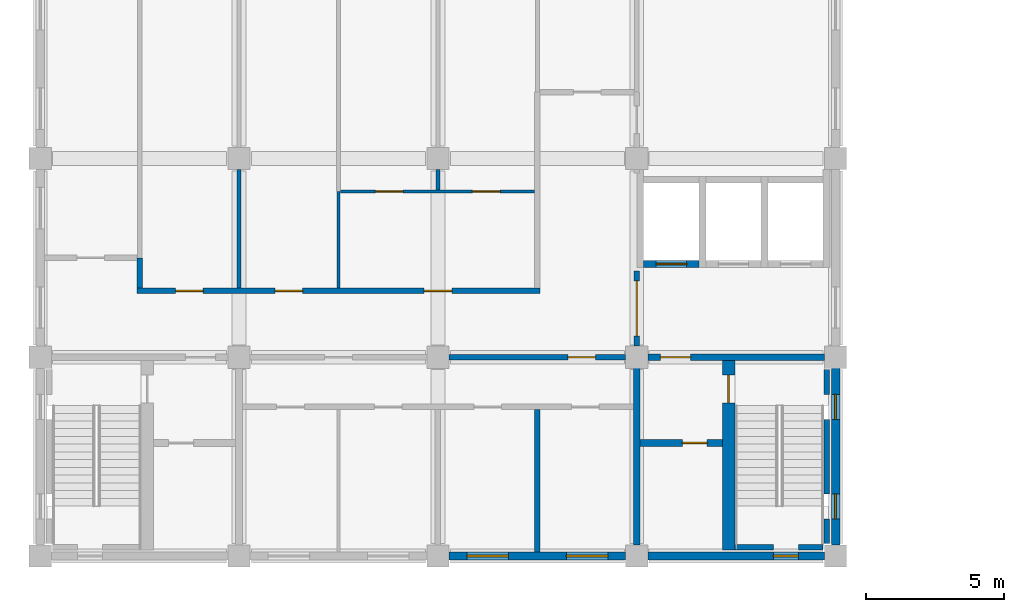
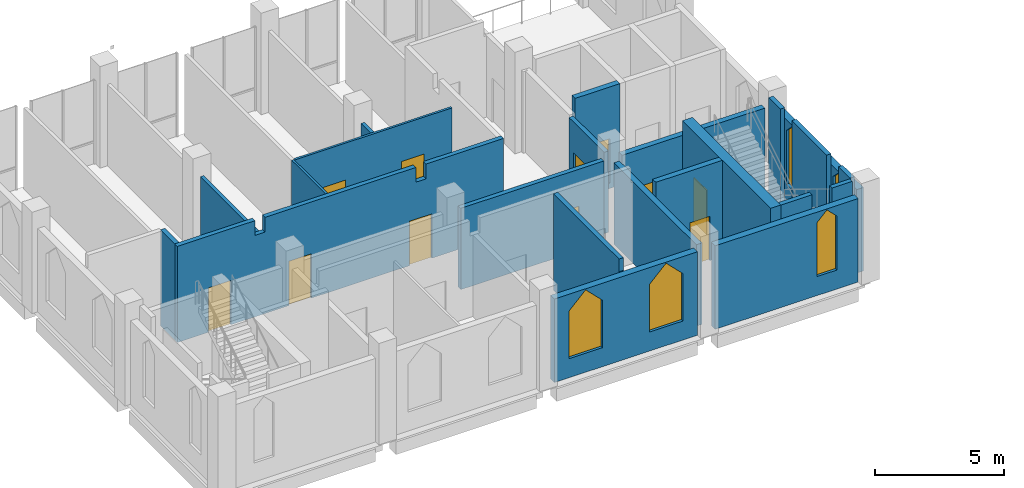
# One storey, part 19 of 31: 22 walls, 11 doors, 5 windows, 16 openings.
"""IFC4 building model written with IfcOpenShell, lengths in metres."""

from ifc_helpers import new_model, si_unit, direction, frame, frame_2d, origin, place, context, subcontext, project, spatial, polyline, rectangle, outline, extrude, material, layer, layer_set, type_object, element, fill, save


model = new_model("IFC4")

# Units and contexts
model_context = context("Model", 3, precision=1e-05, world=origin(), true_north=direction((0.0, 1.0)))
body_context = subcontext(model_context, "Body", "Model", "MODEL_VIEW")
ifc_project = project(units=[si_unit("LENGTHUNIT", "METRE"), si_unit("AREAUNIT", "SQUARE_METRE"), si_unit("VOLUMEUNIT", "CUBIC_METRE"), si_unit("PLANEANGLEUNIT", "RADIAN"), si_unit("MASSUNIT", "GRAM", prefix="KILO")], contexts=[model_context])

# Site, building, storey
site_placement = place(None, origin())
site = spatial("IfcSite", under=ifc_project, at=site_placement, CompositionType="ELEMENT")
building_placement = place(site_placement, origin())
building = spatial("IfcBuilding", under=site, at=building_placement, Name="Silangan Lancet Faculty of Sciences", CompositionType="ELEMENT")
storey_placement = place(building_placement, frame((0.0, 0.0, 36.0)))
storey = spatial("IfcBuildingStorey", under=building, at=storey_placement, Name="L07", CompositionType="ELEMENT", Elevation=36.0)

# Wall, openings, windows
ifc_material_1 = material(Name="Concrete C40/50 precast", Category="concrete")
ifc_layer_1 = layer(ifc_material_1, 0.300048828125)
ifc_layer_set_1 = layer_set([ifc_layer_1], Name="Concrete C40/50 precast")
wall_type_1 = type_object("IfcWallType", Name="EW1 Precast cladding wall", PredefinedType="STANDARD", material=ifc_layer_set_1)
wall_1_placement = place(storey_placement, frame((14.800048828125, 0.0, 0.0), z_axis=(0.0, 0.0, 1.0), x_axis=(1.0, 0.0, 0.0)))
wall_1 = element("IfcWall", 1, at=wall_1_placement, inside=storey, type_object=wall_type_1, Name="EW-L07-S-ST-02", PredefinedType="STANDARD", context=body_context, shape_type="SweptSolid", body=[
    extrude(rectangle(XDim=6.39990234375, YDim=0.300048828125, at=frame_2d((3.199951171875, 0.0))), origin(), (0.0, 0.0, 1.0), 3.949951171875),
])
opening_1_placement = place(wall_1_placement, frame((0.64990234375, 0.0, 0.89990234375)))
opening_1 = element("IfcOpeningElement", 2, at=opening_1_placement, cuts=wall_1, Name="Opening W20", PredefinedType="OPENING", context=body_context, shape_type="SweptSolid", body=[
    extrude(outline(polyline([(0.0, 0.0), (1.5, 0.0), (1.5, 2.25), (0.75, 3.0), (0.0, 2.25), (0.0, 0.0)])), frame((0.0, 0.159912109375, 0.0), z_axis=(0.0, -1.0, 0.0), x_axis=(1.0, 0.0, 0.0)), (0.0, 0.0, 1.0), 0.320068359375),
])
opening_2_placement = place(wall_1_placement, frame((4.25, 0.0, 0.89990234375)))
opening_2 = element("IfcOpeningElement", 3, at=opening_2_placement, cuts=wall_1, Name="Opening W20", PredefinedType="OPENING", context=body_context, shape_type="SweptSolid", body=[
    extrude(outline(polyline([(0.0, 0.0), (1.5, 0.0), (1.5, 2.25), (0.75, 3.0), (0.0, 2.25), (0.0, 0.0)])), frame((0.0, 0.159912109375, 0.0), z_axis=(0.0, -1.0, 0.0), x_axis=(1.0, 0.0, 0.0)), (0.0, 0.0, 1.0), 0.320068359375),
])
ifc_material_2 = material(Name="Aluminium frame, laminated double glazing", Category="aluminium")
window_type_1 = type_object("IfcWindowType", Name="W20 Lancet window 1500 x 3000", PartitioningType="SINGLE_PANEL", PredefinedType="WINDOW", material=ifc_material_2)
window_1_placement = place(opening_1_placement, origin())
window_1 = element("IfcWindow", 4, at=window_1_placement, inside=storey, type_object=window_type_1, Name="WIN-L07-S-ST-02a", OverallHeight=3.0, OverallWidth=1.5, PartitioningType="SINGLE_PANEL", PredefinedType="WINDOW", context=body_context, shape_type="SweptSolid", body=[
    extrude(outline(polyline([(0.0, 0.0), (1.5, 0.0), (1.5, 2.25), (0.75, 3.0), (0.0, 2.25), (0.0, 0.0)])), frame((0.0, 0.030029296875, 0.0), z_axis=(0.0, -1.0, 0.0), x_axis=(1.0, 0.0, 0.0)), (0.0, 0.0, 1.0), 0.06005859375),
])
fill(opening_1, window_1)
window_2_placement = place(opening_2_placement, origin())
window_2 = element("IfcWindow", 5, at=window_2_placement, inside=storey, type_object=window_type_1, Name="WIN-L07-S-ST-02b", OverallHeight=3.0, OverallWidth=1.5, PartitioningType="SINGLE_PANEL", PredefinedType="WINDOW", context=body_context, shape_type="SweptSolid", body=[
    extrude(outline(polyline([(0.0, 0.0), (1.5, 0.0), (1.5, 2.25), (0.75, 3.0), (0.0, 2.25), (0.0, 0.0)])), frame((0.0, 0.030029296875, 0.0), z_axis=(0.0, -1.0, 0.0), x_axis=(1.0, 0.0, 0.0)), (0.0, 0.0, 1.0), 0.06005859375),
])
fill(opening_2, window_2)

# Wall, opening, window
ifc_material_3 = material(Name="Concrete C40/50 precast", Category="concrete")
ifc_layer_2 = layer(ifc_material_3, 0.300048828125)
ifc_layer_set_2 = layer_set([ifc_layer_2], Name="Concrete C40/50 precast")
wall_type_2 = type_object("IfcWallType", Name="EW2 Turret enclosure wall", PredefinedType="STANDARD", material=ifc_layer_set_2)
wall_2_placement = place(storey_placement, frame((22.0, 0.0, 0.0), z_axis=(0.0, 0.0, 1.0), x_axis=(1.0, 0.0, 0.0)))
wall_2 = element("IfcWall", 6, at=wall_2_placement, inside=storey, type_object=wall_type_2, Name="EW-L07-S-ST-03", PredefinedType="STANDARD", context=body_context, shape_type="SweptSolid", body=[
    extrude(rectangle(XDim=6.39990234375, YDim=0.300048828125, at=frame_2d((3.199951171875, 0.0))), origin(), (0.0, 0.0, 1.0), 3.949951171875),
])
opening_3_placement = place(wall_2_placement, frame((4.550048828125, 0.0, 0.89990234375)))
opening_3 = element("IfcOpeningElement", 7, at=opening_3_placement, cuts=wall_2, Name="Opening W17", PredefinedType="OPENING", context=body_context, shape_type="SweptSolid", body=[
    extrude(outline(polyline([(0.0, 0.0), (0.89990234375, 0.0), (0.89990234375, 2.550048828125), (0.449951171875, 3.0), (0.0, 2.550048828125), (0.0, 0.0)])), frame((0.0, 0.159912109375, 0.0), z_axis=(0.0, -1.0, 0.0), x_axis=(1.0, 0.0, 0.0)), (0.0, 0.0, 1.0), 0.320068359375),
])
ifc_material_4 = material(Name="Aluminium frame, laminated double glazing", Category="aluminium")
window_type_2 = type_object("IfcWindowType", Name="W17 Lancet window 900 x 3000", PartitioningType="SINGLE_PANEL", PredefinedType="WINDOW", material=ifc_material_4)
window_3_placement = place(opening_3_placement, origin())
window_3 = element("IfcWindow", 8, at=window_3_placement, inside=storey, type_object=window_type_2, Name="WIN-L07-S-ST-03b", OverallHeight=3.0, OverallWidth=0.89990234375, PartitioningType="SINGLE_PANEL", PredefinedType="WINDOW", context=body_context, shape_type="SweptSolid", body=[
    extrude(outline(polyline([(0.0, 0.0), (0.89990234375, 0.0), (0.89990234375, 2.550048828125), (0.449951171875, 3.0), (0.0, 2.550048828125), (0.0, 0.0)])), frame((0.0, 0.030029296875, 0.0), z_axis=(0.0, -1.0, 0.0), x_axis=(1.0, 0.0, 0.0)), (0.0, 0.0, 1.0), 0.06005859375),
])
fill(opening_3, window_3)

# Wall, openings, windows
wall_3_placement = place(storey_placement, frame((28.800048828125, 0.39990234375, 0.0), z_axis=(0.0, 0.0, 1.0), x_axis=(0.0, 1.0, 0.0)))
wall_3 = element("IfcWall", 9, at=wall_3_placement, inside=storey, type_object=wall_type_2, Name="EW-L07-E-ST-00", PredefinedType="STANDARD", context=body_context, shape_type="SweptSolid", body=[
    extrude(rectangle(XDim=6.400146484375, YDim=0.300048828125, at=frame_2d((3.2001953125, 0.0))), origin(), (0.0, 0.0, 1.0), 3.949951171875),
])
opening_4_placement = place(wall_3_placement, frame((0.949951171875, 0.0, 0.89990234375)))
opening_4 = element("IfcOpeningElement", 10, at=opening_4_placement, cuts=wall_3, Name="Opening W17", PredefinedType="OPENING", context=body_context, shape_type="SweptSolid", body=[
    extrude(outline(polyline([(0.0, 0.0), (0.89990234375, 0.0), (0.89990234375, 2.550048828125), (0.449951171875, 3.0), (0.0, 2.550048828125), (0.0, 0.0)])), frame((0.0, 0.159912109375, 0.0), z_axis=(0.0, -1.0, 0.0), x_axis=(1.0, 0.0, 0.0)), (0.0, 0.0, 1.0), 0.320068359375),
])
opening_5_placement = place(wall_3_placement, frame((4.550048828125, 0.0, 0.89990234375)))
opening_5 = element("IfcOpeningElement", 11, at=opening_5_placement, cuts=wall_3, Name="Opening W17", PredefinedType="OPENING", context=body_context, shape_type="SweptSolid", body=[
    extrude(outline(polyline([(0.0, 0.0), (0.89990234375, 0.0), (0.89990234375, 2.550048828125), (0.449951171875, 3.0), (0.0, 2.550048828125), (0.0, 0.0)])), frame((0.0, 0.159912109375, 0.0), z_axis=(0.0, -1.0, 0.0), x_axis=(1.0, 0.0, 0.0)), (0.0, 0.0, 1.0), 0.320068359375),
])
window_4_placement = place(opening_4_placement, origin())
window_4 = element("IfcWindow", 12, at=window_4_placement, inside=storey, type_object=window_type_2, Name="WIN-L07-E-ST-00a", OverallHeight=3.0, OverallWidth=0.89990234375, PartitioningType="SINGLE_PANEL", PredefinedType="WINDOW", context=body_context, shape_type="SweptSolid", body=[
    extrude(outline(polyline([(0.0, 0.0), (0.89990234375, 0.0), (0.89990234375, 2.550048828125), (0.449951171875, 3.0), (0.0, 2.550048828125), (0.0, 0.0)])), frame((0.0, 0.030029296875, 0.0), z_axis=(0.0, -1.0, 0.0), x_axis=(1.0, 0.0, 0.0)), (0.0, 0.0, 1.0), 0.06005859375),
])
fill(opening_4, window_4)
window_5_placement = place(opening_5_placement, origin())
window_5 = element("IfcWindow", 13, at=window_5_placement, inside=storey, type_object=window_type_2, Name="WIN-L07-E-ST-00b", OverallHeight=3.0, OverallWidth=0.89990234375, PartitioningType="SINGLE_PANEL", PredefinedType="WINDOW", context=body_context, shape_type="SweptSolid", body=[
    extrude(outline(polyline([(0.0, 0.0), (0.89990234375, 0.0), (0.89990234375, 2.550048828125), (0.449951171875, 3.0), (0.0, 2.550048828125), (0.0, 0.0)])), frame((0.0, 0.030029296875, 0.0), z_axis=(0.0, -1.0, 0.0), x_axis=(1.0, 0.0, 0.0)), (0.0, 0.0, 1.0), 0.06005859375),
])
fill(opening_5, window_5)

# Wall, opening, door
ifc_material_5 = material(Name="Hollow block masonry fm 7 MPa", Category="masonry")
ifc_layer_3 = layer(ifc_material_5, 0.199951171875)
ifc_layer_set_3 = layer_set([ifc_layer_3], Name="Hollow block masonry fm 7 MPa")
wall_type_3 = type_object("IfcWallType", Name="Interior wall PW1 Corridor wall CHB 200", PredefinedType="PARTITIONING", material=ifc_layer_set_3)
wall_4_placement = place(storey_placement, frame((14.800048828125, 7.199951171875, 0.0), z_axis=(0.0, 0.0, 1.0), x_axis=(1.0, 0.0, 0.0)))
wall_4 = element("IfcWall", 14, at=wall_4_placement, inside=storey, type_object=wall_type_3, Name="Corridor wall CHB 200", PredefinedType="PARTITIONING", context=body_context, shape_type="SweptSolid", body=[
    extrude(rectangle(XDim=6.39990234375, YDim=0.199951171875, at=frame_2d((3.199951171875, 0.0))), origin(), (0.0, 0.0, 1.0), 3.85009765625),
])
opening_6_placement = place(wall_4_placement, frame((4.300048828125, 0.0, 0.0)))
opening_6 = element("IfcOpeningElement", 15, at=opening_6_placement, cuts=wall_4, Name="Opening L07-003", PredefinedType="OPENING", context=body_context, shape_type="SweptSolid", body=[
    extrude(rectangle(XDim=1.0, YDim=2.10009765625, at=frame_2d((0.5, 1.050048828125))), frame((0.0, 0.10986328125, 0.0), z_axis=(0.0, -1.0, 0.0), x_axis=(1.0, 0.0, 0.0)), (0.0, 0.0, 1.0), 0.219970703125),
])
ifc_material_6 = material(Name="Steel fire door set", Category="steel")
door_type_1 = type_object("IfcDoorType", Name="Door D1 Single leaf fire door 1000 x 2100", OperationType="SINGLE_SWING_LEFT", PredefinedType="DOOR", material=ifc_material_6)
door_1_placement = place(opening_6_placement, frame((1.0, 0.0, 0.0), z_axis=(0.0, 0.0, 1.0), x_axis=(-1.0, 0.0, 0.0)))
door_1 = element("IfcDoor", 16, at=door_1_placement, inside=storey, type_object=door_type_1, Name="Single leaf fire door 1000 x 2100", OperationType="SINGLE_SWING_RIGHT", OverallHeight=2.10009765625, OverallWidth=1.0, PredefinedType="DOOR", context=body_context, shape_type="SweptSolid", body=[
    extrude(rectangle(XDim=1.0, YDim=2.10009765625, at=frame_2d((0.5, 1.050048828125))), frame((0.0, 0.025146484375, 0.0), z_axis=(0.0, -1.0, 0.0), x_axis=(1.0, 0.0, 0.0)), (0.0, 0.0, 1.0), 0.050048828125),
])
fill(opening_6, door_1)

# Wall, openings, doors
wall_5_placement = place(storey_placement, frame((3.5, 9.60009765625, 0.0), z_axis=(0.0, 0.0, 1.0), x_axis=(1.0, 0.0, 0.0)))
wall_5 = element("IfcWall", 17, at=wall_5_placement, inside=storey, type_object=wall_type_3, Name="Corridor wall CHB 200", PredefinedType="PARTITIONING", context=body_context, shape_type="SweptSolid", body=[
    extrude(outline(polyline([(0.0, 0.0), (14.60009765625, 0.0), (14.60009765625, 4.550048828125), (11.125, 4.550048828125), (11.125, 3.85009765625), (10.675048828125, 3.85009765625), (10.675048828125, 4.550048828125), (3.925048828125, 4.550048828125), (3.925048828125, 3.85009765625), (3.47509765625, 3.85009765625), (3.47509765625, 4.550048828125), (0.0, 4.550048828125), (0.0, 0.0)])), frame((0.0, 0.10009765625, 0.0), z_axis=(0.0, -1.0, 0.0), x_axis=(1.0, 0.0, 0.0)), (0.0, 0.0, 1.0), 0.199951171875),
])
opening_7_placement = place(wall_5_placement, frame((1.39990234375, 0.0, 0.0)))
opening_7 = element("IfcOpeningElement", 18, at=opening_7_placement, cuts=wall_5, Name="Opening L07-014", PredefinedType="OPENING", context=body_context, shape_type="SweptSolid", body=[
    extrude(rectangle(XDim=1.0, YDim=2.10009765625, at=frame_2d((0.5, 1.050048828125))), frame((0.0, 0.10986328125, 0.0), z_axis=(0.0, -1.0, 0.0), x_axis=(1.0, 0.0, 0.0)), (0.0, 0.0, 1.0), 0.219970703125),
])
opening_8_placement = place(wall_5_placement, frame((5.0, 0.0, 0.0)))
opening_8 = element("IfcOpeningElement", 19, at=opening_8_placement, cuts=wall_5, Name="Opening L07-015", PredefinedType="OPENING", context=body_context, shape_type="SweptSolid", body=[
    extrude(rectangle(XDim=1.0, YDim=2.10009765625, at=frame_2d((0.5, 1.050048828125))), frame((0.0, 0.10986328125, 0.0), z_axis=(0.0, -1.0, 0.0), x_axis=(1.0, 0.0, 0.0)), (0.0, 0.0, 1.0), 0.219970703125),
])
opening_9_placement = place(wall_5_placement, frame((10.39990234375, 0.0, 0.0)))
opening_9 = element("IfcOpeningElement", 20, at=opening_9_placement, cuts=wall_5, Name="Opening L07-016", PredefinedType="OPENING", context=body_context, shape_type="SweptSolid", body=[
    extrude(rectangle(XDim=1.0, YDim=2.10009765625, at=frame_2d((0.5, 1.050048828125))), frame((0.0, 0.10986328125, 0.0), z_axis=(0.0, -1.0, 0.0), x_axis=(1.0, 0.0, 0.0)), (0.0, 0.0, 1.0), 0.219970703125),
])
door_2_placement = place(opening_7_placement, origin())
door_2 = element("IfcDoor", 21, at=door_2_placement, inside=storey, type_object=door_type_1, Name="Single leaf fire door 1000 x 2100", OperationType="SINGLE_SWING_RIGHT", OverallHeight=2.10009765625, OverallWidth=1.0, PredefinedType="DOOR", context=body_context, shape_type="SweptSolid", body=[
    extrude(rectangle(XDim=1.0, YDim=2.10009765625, at=frame_2d((0.5, 1.050048828125))), frame((0.0, 0.02490234375, 0.0), z_axis=(0.0, -1.0, 0.0), x_axis=(1.0, 0.0, 0.0)), (0.0, 0.0, 1.0), 0.050048828125),
])
fill(opening_7, door_2)
door_3_placement = place(opening_8_placement, origin())
door_3 = element("IfcDoor", 22, at=door_3_placement, inside=storey, type_object=door_type_1, Name="Single leaf fire door 1000 x 2100", OperationType="SINGLE_SWING_LEFT", OverallHeight=2.10009765625, OverallWidth=1.0, PredefinedType="DOOR", context=body_context, shape_type="SweptSolid", body=[
    extrude(rectangle(XDim=1.0, YDim=2.10009765625, at=frame_2d((0.5, 1.050048828125))), frame((0.0, 0.02490234375, 0.0), z_axis=(0.0, -1.0, 0.0), x_axis=(1.0, 0.0, 0.0)), (0.0, 0.0, 1.0), 0.050048828125),
])
fill(opening_8, door_3)
door_4_placement = place(opening_9_placement, origin())
door_4 = element("IfcDoor", 23, at=door_4_placement, inside=storey, type_object=door_type_1, Name="Single leaf fire door 1000 x 2100", OperationType="SINGLE_SWING_RIGHT", OverallHeight=2.10009765625, OverallWidth=1.0, PredefinedType="DOOR", context=body_context, shape_type="SweptSolid", body=[
    extrude(rectangle(XDim=1.0, YDim=2.10009765625, at=frame_2d((0.5, 1.050048828125))), frame((0.0, 0.02490234375, 0.0), z_axis=(0.0, -1.0, 0.0), x_axis=(1.0, 0.0, 0.0)), (0.0, 0.0, 1.0), 0.050048828125),
])
fill(opening_9, door_4)

# Wall
wall_6_placement = place(storey_placement, frame((3.60009765625, 9.699951171875, 0.0), z_axis=(0.0, 0.0, 1.0), x_axis=(0.0, 1.0, 0.0)))
element("IfcWall", 24, at=wall_6_placement, inside=storey, type_object=wall_type_3, Name="Corridor wall CHB 200", PredefinedType="PARTITIONING", context=body_context, shape_type="SweptSolid", body=[
    extrude(rectangle(XDim=1.10009765625, YDim=0.199951171875, at=frame_2d((0.550048828125, 0.0))), origin(), (0.0, 0.0, 1.0), 4.550048828125),
])

# Wall, openings, doors
ifc_material_7 = material(Name="Gypsum board on metal studs")
ifc_layer_4 = layer(ifc_material_7, 0.10009765625)
ifc_layer_set_4 = layer_set([ifc_layer_4], Name="Gypsum board on metal studs")
wall_type_4 = type_object("IfcWallType", Name="Interior wall PW2 Office partition drywall 100", PredefinedType="PARTITIONING", material=ifc_layer_set_4)
wall_7_placement = place(storey_placement, frame((10.875, 13.199951171875, 0.0), z_axis=(0.0, 0.0, 1.0), x_axis=(1.0, 0.0, 0.0)))
wall_7 = element("IfcWall", 25, at=wall_7_placement, inside=storey, type_object=wall_type_4, Name="Office partition drywall 100", PredefinedType="PARTITIONING", context=body_context, shape_type="SweptSolid", body=[
    extrude(rectangle(XDim=7.02490234375, YDim=0.10009765625, at=frame_2d((3.512451171875, 0.0))), origin(), (0.0, 0.0, 1.0), 3.85009765625),
])
opening_10_placement = place(wall_7_placement, frame((1.262451171875, 0.0, 0.0)))
opening_10 = element("IfcOpeningElement", 26, at=opening_10_placement, cuts=wall_7, Name="Opening L07-017", PredefinedType="OPENING", context=body_context, shape_type="SweptSolid", body=[
    extrude(rectangle(XDim=1.0, YDim=2.10009765625, at=frame_2d((0.5, 1.050048828125))), frame((0.0, 0.06005859375, 0.0), z_axis=(0.0, -1.0, 0.0), x_axis=(1.0, 0.0, 0.0)), (0.0, 0.0, 1.0), 0.1201171875),
])
opening_11_placement = place(wall_7_placement, frame((4.77490234375, 0.0, 0.0)))
opening_11 = element("IfcOpeningElement", 27, at=opening_11_placement, cuts=wall_7, Name="Opening L07-018", PredefinedType="OPENING", context=body_context, shape_type="SweptSolid", body=[
    extrude(rectangle(XDim=1.0, YDim=2.10009765625, at=frame_2d((0.5, 1.050048828125))), frame((0.0, 0.06005859375, 0.0), z_axis=(0.0, -1.0, 0.0), x_axis=(1.0, 0.0, 0.0)), (0.0, 0.0, 1.0), 0.1201171875),
])
ifc_material_8 = material(Name="Timber door leaf", Category="wood")
door_type_2 = type_object("IfcDoorType", Name="Door D2 Single leaf door 1000 x 2100", OperationType="SINGLE_SWING_LEFT", PredefinedType="DOOR", material=ifc_material_8)
door_5_placement = place(opening_10_placement, origin())
door_5 = element("IfcDoor", 28, at=door_5_placement, inside=storey, type_object=door_type_2, Name="Single leaf door 1000 x 2100", OperationType="SINGLE_SWING_LEFT", OverallHeight=2.10009765625, OverallWidth=1.0, PredefinedType="DOOR", context=body_context, shape_type="SweptSolid", body=[
    extrude(rectangle(XDim=1.0, YDim=2.10009765625, at=frame_2d((0.5, 1.050048828125))), frame((0.0, 0.02490234375, 0.0), z_axis=(0.0, -1.0, 0.0), x_axis=(1.0, 0.0, 0.0)), (0.0, 0.0, 1.0), 0.050048828125),
])
fill(opening_10, door_5)
door_6_placement = place(opening_11_placement, origin())
door_6 = element("IfcDoor", 29, at=door_6_placement, inside=storey, type_object=door_type_2, Name="Single leaf door 1000 x 2100", OperationType="SINGLE_SWING_RIGHT", OverallHeight=2.10009765625, OverallWidth=1.0, PredefinedType="DOOR", context=body_context, shape_type="SweptSolid", body=[
    extrude(rectangle(XDim=1.0, YDim=2.10009765625, at=frame_2d((0.5, 1.050048828125))), frame((0.0, 0.02490234375, 0.0), z_axis=(0.0, -1.0, 0.0), x_axis=(1.0, 0.0, 0.0)), (0.0, 0.0, 1.0), 0.050048828125),
])
fill(opening_11, door_6)

# Walls
wall_8_placement = place(storey_placement, frame((10.800048828125, 9.699951171875, 0.0), z_axis=(0.0, 0.0, 1.0), x_axis=(0.0, 1.0, 0.0)))
element("IfcWall", 30, at=wall_8_placement, inside=storey, type_object=wall_type_4, Name="Office partition drywall 100", PredefinedType="PARTITIONING", context=body_context, shape_type="SweptSolid", body=[
    extrude(rectangle(XDim=3.5, YDim=0.10009765625, at=frame_2d((1.75, 0.0))), origin(), (0.0, 0.0, 1.0), 3.85009765625),
])
ifc_material_9 = material(Name="Hollow block masonry fm 7 MPa", Category="masonry")
ifc_layer_5 = layer(ifc_material_9, 0.14990234375)
ifc_layer_set_5 = layer_set([ifc_layer_5], Name="Hollow block masonry fm 7 MPa")
wall_type_5 = type_object("IfcWallType", Name="Interior wall PW3 Partition CHB 150", PredefinedType="PARTITIONING", material=ifc_layer_set_5)
wall_9_placement = place(storey_placement, frame((7.199951171875, 9.699951171875, 0.0), z_axis=(0.0, 0.0, 1.0), x_axis=(0.0, 1.0, 0.0)))
element("IfcWall", 31, at=wall_9_placement, inside=storey, type_object=wall_type_5, Name="Partition CHB 150", PredefinedType="PARTITIONING", context=body_context, shape_type="SweptSolid", body=[
    extrude(rectangle(XDim=4.300048828125, YDim=0.14990234375, at=frame_2d((2.14990234375, 0.0))), origin(), (0.0, 0.0, 1.0), 3.85009765625),
])
wall_10_placement = place(storey_placement, frame((14.39990234375, 13.25, 0.0), z_axis=(0.0, 0.0, 1.0), x_axis=(0.0, 1.0, 0.0)))
element("IfcWall", 32, at=wall_10_placement, inside=storey, type_object=wall_type_5, Name="Partition CHB 150", PredefinedType="PARTITIONING", context=body_context, shape_type="SweptSolid", body=[
    extrude(rectangle(XDim=0.75, YDim=0.14990234375, at=frame_2d((0.375, 0.0))), origin(), (0.0, 0.0, 1.0), 3.85009765625),
])
ifc_material_10 = material(Name="Hollow block masonry fm 7 MPa", Category="masonry")
ifc_layer_6 = layer(ifc_material_10, 0.199951171875)
ifc_layer_set_6 = layer_set([ifc_layer_6], Name="Hollow block masonry fm 7 MPa")
wall_type_6 = type_object("IfcWallType", Name="Interior wall PW4 Laboratory separation CHB 200", PredefinedType="PARTITIONING", material=ifc_layer_set_6)
wall_11_placement = place(storey_placement, frame((18.0, 0.14990234375, 0.0), z_axis=(0.0, 0.0, 1.0), x_axis=(0.0, 1.0, 0.0)))
element("IfcWall", 33, at=wall_11_placement, inside=storey, type_object=wall_type_6, Name="Laboratory separation CHB 200", PredefinedType="PARTITIONING", context=body_context, shape_type="SweptSolid", body=[
    extrude(outline(polyline([(0.0, 0.0), (5.150146484375, 0.0), (5.150146484375, 4.550048828125), (0.050048828125, 4.550048828125), (0.050048828125, 3.949951171875), (0.0, 3.949951171875), (0.0, 0.0)])), frame((0.0, 0.10009765625, 0.0), z_axis=(0.0, -1.0, 0.0), x_axis=(1.0, 0.0, 0.0)), (0.0, 0.0, 1.0), 0.199951171875),
])

# Wall, opening, door
ifc_material_11 = material(Name="Hollow block masonry fm 7 MPa", Category="masonry")
ifc_layer_7 = layer(ifc_material_11, 0.199951171875)
ifc_layer_set_7 = layer_set([ifc_layer_7], Name="Hollow block masonry fm 7 MPa")
wall_type_7 = type_object("IfcWallType", Name="Interior wall PW9 Lift lobby wall CHB 200", PredefinedType="PARTITIONING", material=ifc_layer_set_7)
wall_12_placement = place(storey_placement, frame((21.60009765625, 7.60009765625, 0.0), z_axis=(0.0, 0.0, 1.0), x_axis=(0.0, 1.0, 0.0)))
wall_12 = element("IfcWall", 34, at=wall_12_placement, inside=storey, type_object=wall_type_7, Name="Lift lobby wall CHB 200", PredefinedType="PARTITIONING", context=body_context, shape_type="SweptSolid", body=[
    extrude(rectangle(XDim=2.724853515625, YDim=0.199951171875, at=frame_2d((1.3623046875, 0.0))), origin(), (0.0, 0.0, 1.0), 3.85009765625),
])
opening_12_placement = place(wall_12_placement, frame((0.3623046875, 0.0, 0.0)))
opening_12 = element("IfcOpeningElement", 35, at=opening_12_placement, cuts=wall_12, Name="Opening L07-001", PredefinedType="OPENING", context=body_context, shape_type="SweptSolid", body=[
    extrude(rectangle(XDim=2.0, YDim=2.39990234375, at=frame_2d((1.0, 1.199951171875))), frame((0.0, 0.10986328125, 0.0), z_axis=(0.0, -1.0, 0.0), x_axis=(1.0, 0.0, 0.0)), (0.0, 0.0, 1.0), 0.219970703125),
])
ifc_material_12 = material(Name="Steel fire door set", Category="steel")
door_type_3 = type_object("IfcDoorType", Name="Door D5 Lift lobby double fire door 2000 x 2400", OperationType="DOUBLE_DOOR_SINGLE_SWING", PredefinedType="DOOR", material=ifc_material_12)
door_7_placement = place(opening_12_placement, origin())
door_7 = element("IfcDoor", 36, at=door_7_placement, inside=storey, type_object=door_type_3, Name="Lift lobby double fire door 2000 x 2400", OperationType="DOUBLE_DOOR_SINGLE_SWING", OverallHeight=2.39990234375, OverallWidth=2.0, PredefinedType="DOOR", context=body_context, shape_type="SweptSolid", body=[
    extrude(rectangle(XDim=2.0, YDim=2.39990234375, at=frame_2d((1.0, 1.199951171875))), frame((0.0, 0.02490234375, 0.0), z_axis=(0.0, -1.0, 0.0), x_axis=(1.0, 0.0, 0.0)), (0.0, 0.0, 1.0), 0.050048828125),
])
fill(opening_12, door_7)

ifc_material_13 = material(Name="Concrete C40/50", Category="concrete")
ifc_layer_8 = layer(ifc_material_13, 0.25)
ifc_layer_set_8 = layer_set([ifc_layer_8], Name="Concrete C40/50")
wall_type_8 = type_object("IfcWallType", Name="LIFT SHAFT WALL RC 250", PredefinedType="SHEAR", material=ifc_layer_set_8)
wall_13_placement = place(storey_placement, frame((21.85009765625, 10.574951171875, -0.25), z_axis=(0.0, 0.0, 1.0), x_axis=(1.0, 0.0, 0.0)))
wall_13 = element("IfcWall", 37, at=wall_13_placement, inside=storey, type_object=wall_type_8, Name="WALL-L07-ST-L1-F", PredefinedType="SHEAR", context=body_context, shape_type="SweptSolid", body=[
    extrude(rectangle(XDim=2.0, YDim=0.25, at=frame_2d((1.0, 0.0))), origin(), (0.0, 0.0, 1.0), 4.800048828125),
])
opening_13_placement = place(wall_13_placement, frame((0.449951171875, 0.0, 0.25)))
opening_13 = element("IfcOpeningElement", 38, at=opening_13_placement, cuts=wall_13, Name="Opening L07-804", PredefinedType="OPENING", context=body_context, shape_type="SweptSolid", body=[
    extrude(rectangle(XDim=1.10009765625, YDim=2.10009765625, at=frame_2d((0.550048828125, 1.050048828125))), frame((0.0, 0.135009765625, 0.0), z_axis=(0.0, -1.0, 0.0), x_axis=(1.0, 0.0, 0.0)), (0.0, 0.0, 1.0), 0.27001953125),
])
ifc_material_14 = material(Name="Stainless steel sliding door", Category="steel")
door_type_4 = type_object("IfcDoorType", Name="LD1 Lift landing door 1100x2100", OperationType="SLIDING_TO_LEFT", PredefinedType="DOOR", material=ifc_material_14)
door_8_placement = place(opening_13_placement, origin())
door_8 = element("IfcDoor", 39, at=door_8_placement, inside=storey, type_object=door_type_4, Name="Landing door ST-L1 L07", OperationType="SLIDING_TO_LEFT", OverallHeight=2.10009765625, OverallWidth=1.10009765625, PredefinedType="DOOR", context=body_context, shape_type="SweptSolid", body=[
    extrude(rectangle(XDim=1.10009765625, YDim=2.10009765625, at=frame_2d((0.550048828125, 1.050048828125))), frame((0.0, 0.02490234375, 0.0), z_axis=(0.0, -1.0, 0.0), x_axis=(1.0, 0.0, 0.0)), (0.0, 0.0, 1.0), 0.050048828125),
])
fill(opening_13, door_8)

ifc_material_15 = material(Name="Concrete C40/50", Category="concrete")
ifc_layer_9 = layer(ifc_material_15, 0.449951171875)
ifc_layer_set_9 = layer_set([ifc_layer_9], Name="Concrete C40/50")
wall_type_9 = type_object("IfcWallType", Name="TURRET CORE WALL RC 450", PredefinedType="SHEAR", material=ifc_layer_set_9)
wall_14_placement = place(storey_placement, frame((24.925048828125, 0.22509765625, 0.0), z_axis=(0.0, 0.0, 1.0), x_axis=(0.0, 1.0, 0.0)))
wall_14 = element("IfcWall", 40, at=wall_14_placement, inside=storey, type_object=wall_type_9, Name="WALL-L07-ST-B-WELL", PredefinedType="SHEAR", context=body_context, shape_type="SweptSolid", body=[
    extrude(rectangle(XDim=6.849853515625, YDim=0.449951171875, at=frame_2d((3.4248046875, 0.0))), origin(), (0.0, 0.0, 1.0), 4.550048828125),
])
opening_14_placement = place(wall_14_placement, frame((5.324951171875, 0.0, 0.0)))
opening_14 = element("IfcOpeningElement", 41, at=opening_14_placement, cuts=wall_14, Name="Opening L07-710", PredefinedType="OPENING", context=body_context, shape_type="SweptSolid", body=[
    extrude(rectangle(XDim=1.0, YDim=2.10009765625, at=frame_2d((0.5, 1.050048828125))), frame((0.0, 0.23486328125, 0.0), z_axis=(0.0, -1.0, 0.0), x_axis=(1.0, 0.0, 0.0)), (0.0, 0.0, 1.0), 0.469970703125),
])
ifc_material_16 = material(Name="Steel fire door set", Category="steel")
door_type_5 = type_object("IfcDoorType", Name="D71 Stair enclosure door 1000x2100", OperationType="SINGLE_SWING_LEFT", PredefinedType="DOOR", material=ifc_material_16)
door_9_placement = place(opening_14_placement, frame((1.0, 0.0, 0.0), z_axis=(0.0, 0.0, 1.0), x_axis=(-1.0, 0.0, 0.0)))
door_9 = element("IfcDoor", 42, at=door_9_placement, inside=storey, type_object=door_type_5, Name="Stair enclosure door ST-B L07", OperationType="SINGLE_SWING_LEFT", OverallHeight=2.10009765625, OverallWidth=1.0, PredefinedType="DOOR", context=body_context, shape_type="SweptSolid", body=[
    extrude(rectangle(XDim=1.0, YDim=2.10009765625, at=frame_2d((0.5, 1.050048828125))), frame((0.0, 0.025146484375, 0.0), z_axis=(0.0, -1.0, 0.0), x_axis=(1.0, 0.0, 0.0)), (0.0, 0.0, 1.0), 0.050048828125),
])
fill(opening_14, door_9)

# Walls
ifc_material_17 = material(Name="Concrete C40/50", Category="concrete")
ifc_layer_10 = layer(ifc_material_17, 0.199951171875)
ifc_layer_set_10 = layer_set([ifc_layer_10], Name="Concrete C40/50")
wall_type_10 = type_object("IfcWallType", Name="TURRET LINING WALL RC 200", PredefinedType="SHEAR", material=ifc_layer_set_10)
wall_15_placement = place(storey_placement, frame((28.47509765625, 0.449951171875, -0.25), z_axis=(0.0, 0.0, 1.0), x_axis=(0.0, 1.0, 0.0)))
element("IfcWall", 43, at=wall_15_placement, inside=storey, type_object=wall_type_10, Name="WALL-L07-ST-B-WL", PredefinedType="SHEAR", context=body_context, shape_type="SweptSolid", body=[
    extrude(rectangle(XDim=0.900146484375, YDim=0.199951171875, at=frame_2d((0.4501953125, 0.0))), origin(), (0.0, 0.0, 1.0), 4.800048828125),
])
wall_16_placement = place(storey_placement, frame((28.47509765625, 2.25, -0.25), z_axis=(0.0, 0.0, 1.0), x_axis=(0.0, 1.0, 0.0)))
element("IfcWall", 44, at=wall_16_placement, inside=storey, type_object=wall_type_10, Name="WALL-L07-ST-B-WL-2", PredefinedType="SHEAR", context=body_context, shape_type="SweptSolid", body=[
    extrude(rectangle(XDim=2.699951171875, YDim=0.199951171875, at=frame_2d((1.35009765625, 0.0))), origin(), (0.0, 0.0, 1.0), 4.800048828125),
])
wall_17_placement = place(storey_placement, frame((28.47509765625, 5.85009765625, -0.25), z_axis=(0.0, 0.0, 1.0), x_axis=(0.0, 1.0, 0.0)))
element("IfcWall", 45, at=wall_17_placement, inside=storey, type_object=wall_type_10, Name="WALL-L07-ST-B-WL-3", PredefinedType="SHEAR", context=body_context, shape_type="SweptSolid", body=[
    extrude(rectangle(XDim=0.89990234375, YDim=0.199951171875, at=frame_2d((0.449951171875, 0.0))), origin(), (0.0, 0.0, 1.0), 4.800048828125),
])
wall_18_placement = place(storey_placement, frame((25.14990234375, 0.324951171875, -0.25), z_axis=(0.0, 0.0, 1.0), x_axis=(1.0, 0.0, 0.0)))
element("IfcWall", 46, at=wall_18_placement, inside=storey, type_object=wall_type_10, Name="WALL-L07-ST-B-WLD", PredefinedType="SHEAR", context=body_context, shape_type="SweptSolid", body=[
    extrude(rectangle(XDim=1.400146484375, YDim=0.199951171875, at=frame_2d((0.7001953125, 0.0))), origin(), (0.0, 0.0, 1.0), 4.800048828125),
])
wall_19_placement = place(storey_placement, frame((27.449951171875, 0.324951171875, -0.25), z_axis=(0.0, 0.0, 1.0), x_axis=(1.0, 0.0, 0.0)))
element("IfcWall", 47, at=wall_19_placement, inside=storey, type_object=wall_type_10, Name="WALL-L07-ST-B-WLD-2", PredefinedType="SHEAR", context=body_context, shape_type="SweptSolid", body=[
    extrude(rectangle(XDim=0.900146484375, YDim=0.199951171875, at=frame_2d((0.4501953125, 0.0))), origin(), (0.0, 0.0, 1.0), 4.800048828125),
])

# Wall, opening, door
ifc_material_18 = material(Name="Concrete C40/50", Category="concrete")
ifc_layer_11 = layer(ifc_material_18, 0.25)
ifc_layer_set_11 = layer_set([ifc_layer_11], Name="Concrete C40/50")
wall_type_11 = type_object("IfcWallType", Name="TURRET WALL RC 250", PredefinedType="SHEAR", material=ifc_layer_set_11)
wall_20_placement = place(storey_placement, frame((22.0, 7.199951171875, 0.0), z_axis=(0.0, 0.0, 1.0), x_axis=(1.0, 0.0, 0.0)))
wall_20 = element("IfcWall", 48, at=wall_20_placement, inside=storey, type_object=wall_type_11, Name="WALL-L07-ST-B-V", PredefinedType="SHEAR", context=body_context, shape_type="SweptSolid", body=[
    extrude(rectangle(XDim=6.39990234375, YDim=0.25, at=frame_2d((3.199951171875, 0.0))), origin(), (0.0, 0.0, 1.0), 3.85009765625),
])
opening_15_placement = place(wall_20_placement, frame((0.449951171875, 0.0, 0.0)))
opening_15 = element("IfcOpeningElement", 49, at=opening_15_placement, cuts=wall_20, Name="Opening L07-711", PredefinedType="OPENING", context=body_context, shape_type="SweptSolid", body=[
    extrude(rectangle(XDim=1.10009765625, YDim=2.10009765625, at=frame_2d((0.550048828125, 1.050048828125))), frame((0.0, 0.135009765625, 0.0), z_axis=(0.0, -1.0, 0.0), x_axis=(1.0, 0.0, 0.0)), (0.0, 0.0, 1.0), 0.27001953125),
])
ifc_material_19 = material(Name="Steel fire door set", Category="steel")
door_type_6 = type_object("IfcDoorType", Name="D70 Stair vestibule door 1100x2100", OperationType="SINGLE_SWING_LEFT", PredefinedType="DOOR", material=ifc_material_19)
door_10_placement = place(opening_15_placement, frame((1.10009765625, 0.0, 0.0), z_axis=(0.0, 0.0, 1.0), x_axis=(-1.0, 0.0, 0.0)))
door_10 = element("IfcDoor", 50, at=door_10_placement, inside=storey, type_object=door_type_6, Name="Stair vestibule door ST-B L07", OperationType="SINGLE_SWING_RIGHT", OverallHeight=2.10009765625, OverallWidth=1.10009765625, PredefinedType="DOOR", context=body_context, shape_type="SweptSolid", body=[
    extrude(rectangle(XDim=1.10009765625, YDim=2.10009765625, at=frame_2d((0.550048828125, 1.050048828125))), frame((0.0, 0.025146484375, 0.0), z_axis=(0.0, -1.0, 0.0), x_axis=(1.0, 0.0, 0.0)), (0.0, 0.0, 1.0), 0.050048828125),
])
fill(opening_15, door_10)

# Wall
wall_21_placement = place(storey_placement, frame((21.60009765625, 0.39990234375, 0.0), z_axis=(0.0, 0.0, 1.0), x_axis=(0.0, 1.0, 0.0)))
element("IfcWall", 51, at=wall_21_placement, inside=storey, type_object=wall_type_11, Name="WALL-L07-ST-B-O", PredefinedType="SHEAR", context=body_context, shape_type="SweptSolid", body=[
    extrude(rectangle(XDim=6.400146484375, YDim=0.25, at=frame_2d((3.2001953125, 0.0))), origin(), (0.0, 0.0, 1.0), 3.85009765625),
])

# Wall, opening, door
wall_22_placement = place(storey_placement, frame((21.72509765625, 4.10009765625, 0.0), z_axis=(0.0, 0.0, 1.0), x_axis=(1.0, 0.0, 0.0)))
wall_22 = element("IfcWall", 52, at=wall_22_placement, inside=storey, type_object=wall_type_11, Name="WALL-L07-ST-B-RISER", PredefinedType="SHEAR", context=body_context, shape_type="SweptSolid", body=[
    extrude(rectangle(XDim=2.974853515625, YDim=0.25, at=frame_2d((1.4873046875, 0.0))), origin(), (0.0, 0.0, 1.0), 4.550048828125),
])
opening_16_placement = place(wall_22_placement, frame((1.52490234375, 0.0, 0.0)))
opening_16 = element("IfcOpeningElement", 53, at=opening_16_placement, cuts=wall_22, Name="Opening L07-712", PredefinedType="OPENING", context=body_context, shape_type="SweptSolid", body=[
    extrude(rectangle(XDim=0.89990234375, YDim=2.10009765625, at=frame_2d((0.449951171875, 1.050048828125))), frame((0.0, 0.135009765625, 0.0), z_axis=(0.0, -1.0, 0.0), x_axis=(1.0, 0.0, 0.0)), (0.0, 0.0, 1.0), 0.27001953125),
])
ifc_material_20 = material(Name="Steel fire door set", Category="steel")
door_type_7 = type_object("IfcDoorType", Name="D72 Riser access door 900x2100", OperationType="SINGLE_SWING_LEFT", PredefinedType="DOOR", material=ifc_material_20)
door_11_placement = place(opening_16_placement, frame((0.89990234375, 0.0, 0.0), z_axis=(0.0, 0.0, 1.0), x_axis=(-1.0, 0.0, 0.0)))
door_11 = element("IfcDoor", 54, at=door_11_placement, inside=storey, type_object=door_type_7, Name="Riser access door ST-B L07", OperationType="SINGLE_SWING_RIGHT", OverallHeight=2.10009765625, OverallWidth=0.89990234375, PredefinedType="DOOR", context=body_context, shape_type="SweptSolid", body=[
    extrude(rectangle(XDim=0.89990234375, YDim=2.10009765625, at=frame_2d((0.449951171875, 1.050048828125))), frame((0.0, 0.025146484375, 0.0), z_axis=(0.0, -1.0, 0.0), x_axis=(1.0, 0.0, 0.0)), (0.0, 0.0, 1.0), 0.050048828125),
])
fill(opening_16, door_11)

save(model, "model.ifc")
